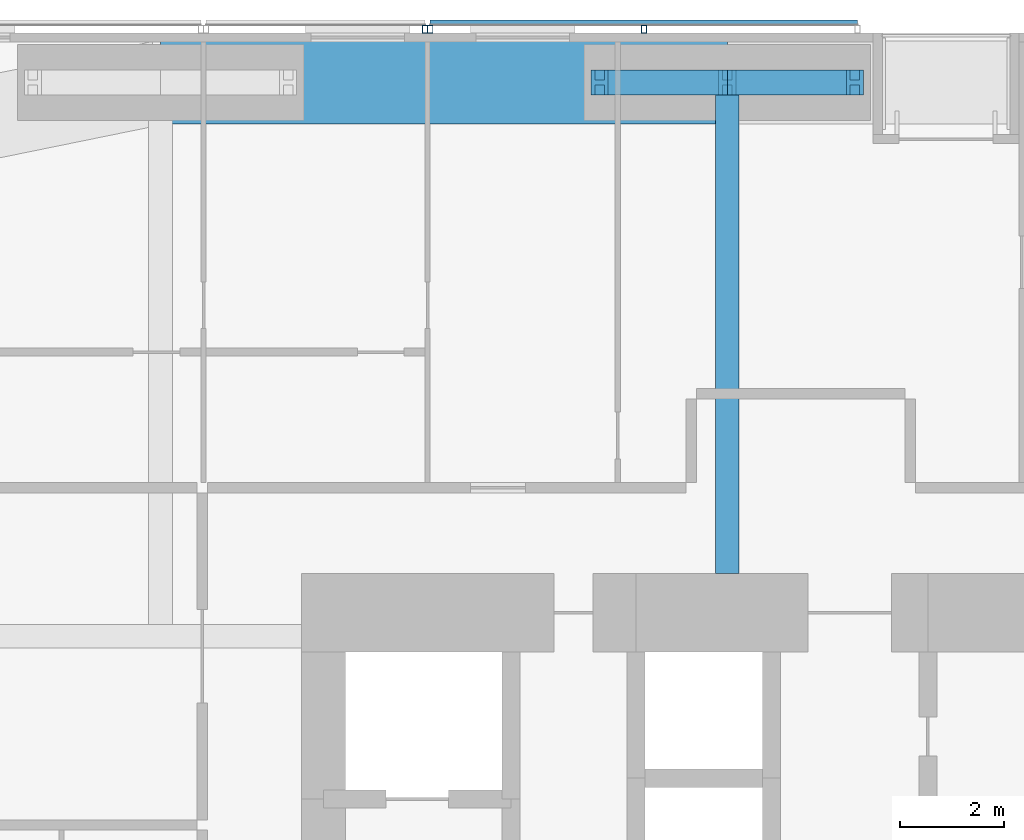
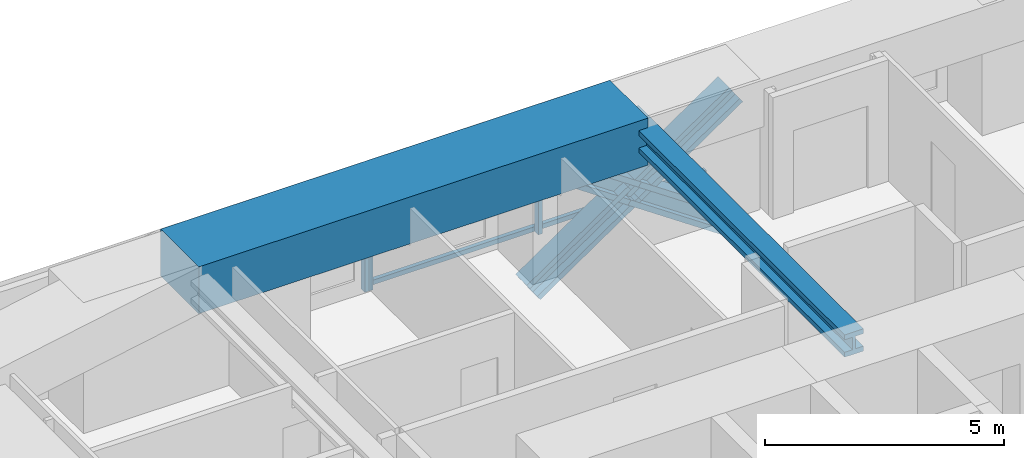
# One storey, part 12 of 23: 8 members, 2 beams, 2 elements without a shape of their own.
"""IFC4 building model written with IfcOpenShell, lengths in metres."""

from ifc_helpers import new_model, si_unit, direction, frame, origin, origin_2d, place, context, subcontext, project, spatial, rectangle, hollow_rectangle, i_section, extrude, material, material_profile, profile_set, type_object, element, aggregate, save


model = new_model("IFC4")

# Units and contexts
model_context = context("Model", 3, precision=1e-05, world=origin(), true_north=direction((0.0, 1.0)))
body_context = subcontext(model_context, "Body", "Model", "MODEL_VIEW")
ifc_project = project(units=[si_unit("LENGTHUNIT", "METRE"), si_unit("AREAUNIT", "SQUARE_METRE"), si_unit("VOLUMEUNIT", "CUBIC_METRE"), si_unit("PLANEANGLEUNIT", "RADIAN"), si_unit("MASSUNIT", "GRAM", prefix="KILO")], contexts=[model_context])

# Site, building, storey
site_placement = place(None, origin())
site = spatial("IfcSite", under=ifc_project, at=site_placement, CompositionType="ELEMENT")
building_placement = place(site_placement, origin())
building = spatial("IfcBuilding", under=site, at=building_placement, Name="Jalousie Tower", CompositionType="ELEMENT")
storey_placement = place(building_placement, frame((0.0, 0.0, 108.199951171875)))
storey = spatial("IfcBuildingStorey", under=building, at=storey_placement, Name="L29", CompositionType="ELEMENT", Elevation=108.199951171875)

# Beam
ifc_material_1 = material(Name="Steel ASTM A992 Grade 50", Category="steel")
ifc_material_profile_1 = material_profile(ifc_material_1, i_section(OverallWidth=0.45458984375, OverallDepth=0.569091796875, WebThickness=0.077880859375, FlangeThickness=0.124755859375, at=origin_2d()), Name="W14X730")
ifc_profile_set_1 = profile_set([ifc_material_profile_1], Name="Steel ASTM A992 Grade 50")
beam_type_1 = type_object("IfcBeamType", Name="LEAN COLLECTOR W14X730", PredefinedType="BEAM", material=ifc_profile_set_1)
beam_1_placement = place(storey_placement, frame((27.75, 37.050048828125, 2.825439453125), z_axis=(0.0, -1.0, 0.0), x_axis=(1.0, 0.0, 0.0)))
element("IfcBeam", 1, at=beam_1_placement, inside=storey, type_object=beam_type_1, Name="Lean collector under L30", PredefinedType="BEAM", context=body_context, shape_type="SweptSolid", body=[
    extrude(i_section(OverallWidth=0.45458984375, OverallDepth=0.569091796875, WebThickness=0.077880859375, FlangeThickness=0.124755859375, at=origin_2d()), origin(), (0.0, 0.0, 1.0), 9.425048828125),
])

# Members
ifc_material_2 = material(Name="Steel ASTM A992 Grade 50", Category="steel")
ifc_material_profile_2 = material_profile(ifc_material_2, i_section(OverallWidth=0.472412109375, OverallDepth=0.5791015625, WebThickness=0.094970703125, FlangeThickness=0.1298828125, at=origin_2d()), Name="W14X808")
ifc_profile_set_2 = profile_set([ifc_material_profile_2], Name="Steel ASTM A992 Grade 50")
member_type_1 = type_object("IfcMemberType", Name="PERIMETER BRACE W14X808", PredefinedType="BRACE", material=ifc_profile_set_2)
for number, where, z_axis, x_axis, name in (
    (2, (25.300048828125, 37.050048828125, -0.599853515625), (0.825539243753, 0.0, 0.564344714713), (0.0, 1.0, 0.0), "Perimeter brace 10 L29 part 1"),
    (3, (27.75, 37.050048828125, 1.074951171875), (0.825500916831, 0.0, 0.564400776321), (0.0, 1.0, 0.0), "Perimeter brace 10 L29 part 2"),
    (4, (30.199951171875, 37.050048828125, -0.599853515625), (-0.825539243753, 0.0, 0.564344714713), (0.0, -1.0, 0.0), "Perimeter brace 10 L29 part 3"),
    (5, (27.75, 37.050048828125, 1.074951171875), (-0.825500916831, 0.0, 0.564400776321), (0.0, -1.0, 0.0), "Perimeter brace 10 L29 part 4"),
):
    element("IfcMember", number, at=place(storey_placement, frame(where, z_axis=z_axis, x_axis=x_axis)), inside=storey, type_object=member_type_1, Name=name, PredefinedType="BRACE", context=body_context, shape_type="SweptSolid", body=[
        extrude(i_section(OverallWidth=0.472412109375, OverallDepth=0.5791015625, WebThickness=0.094970703125, FlangeThickness=0.1298828125, at=origin_2d()), origin(), (0.0, 0.0, 1.0), 2.9677734375),
    ])

# Beam
ifc_material_3 = material(Name="Concrete f'c 40 MPa", Category="concrete")
ifc_material_profile_3 = material_profile(ifc_material_3, rectangle(XDim=1.60009765625, YDim=1.199951171875, at=origin_2d()), Name="RC 1600x1200")
ifc_profile_set_3 = profile_set([ifc_material_profile_3], Name="Concrete f'c 40 MPa")
beam_type_2 = type_object("IfcBeamType", Name="RC BEAM 1600x1200", PredefinedType="BEAM", material=ifc_profile_set_3)
beam_2_placement = place(storey_placement, frame((27.75, 37.050048828125, 2.75), z_axis=(-1.0, 0.0, 0.0), x_axis=(0.0, -1.0, 0.0)))
element("IfcBeam", 6, at=beam_2_placement, inside=storey, type_object=beam_type_2, Name="Edge band beam 10-11 under L30", PredefinedType="BEAM", context=body_context, shape_type="SweptSolid", body=[
    extrude(rectangle(XDim=1.60009765625, YDim=1.199951171875, at=origin_2d()), origin(), (0.0, 0.0, 1.0), 10.875),
])

# Curtain wall, members
ifc_material_4 = material(Name="Perforated aluminium sheet", Category="aluminium")
curtain_wall_type = type_object("IfcCurtainWallType", Name="SOLAR SCREEN SS-1", PredefinedType="USERDEFINED", material=ifc_material_4)
curtain_wall_1_placement = place(storey_placement, origin())
curtain_wall_1 = element("IfcCurtainWall", 7, at=curtain_wall_1_placement, inside=storey, type_object=curtain_wall_type, Name="Solar screen L29", ObjectType="SOLAR SCREEN SS-1", PredefinedType="USERDEFINED")
ifc_material_5 = material(Name="Steel ASTM A500 Grade C", Category="steel")
ifc_material_profile_4 = material_profile(ifc_material_5, hollow_rectangle(XDim=0.1015625, YDim=0.15234375, WallThickness=0.00634765625, at=origin_2d()), Name="HSS6X4X1/4")
ifc_profile_set_4 = profile_set([ifc_material_profile_4], Name="Steel ASTM A500 Grade C")
member_type_2 = type_object("IfcMemberType", Name="SOLAR SCREEN SS-1 MULLION", PredefinedType="MULLION", material=ifc_profile_set_4)
member_1_placement = place(storey_placement, frame((26.150390625, 38.0712890625, -0.119873046875), z_axis=(0.0, 0.0, 1.0), x_axis=(-1.0, 0.0, 0.0)))
member_1 = element("IfcMember", 8, at=member_1_placement, type_object=member_type_2, Name="SS1 post 2", PredefinedType="MULLION", context=body_context, shape_type="SweptSolid", body=[
    extrude(hollow_rectangle(XDim=0.1015625, YDim=0.15234375, WallThickness=0.00634765625, at=origin_2d()), origin(), (0.0, 0.0, 1.0), 3.22998046875),
])
member_2_placement = place(storey_placement, frame((22.050048828125, 38.0712890625, -0.119873046875), z_axis=(0.0, 0.0, 1.0), x_axis=(-1.0, 0.0, 0.0)))
member_2 = element("IfcMember", 9, at=member_2_placement, type_object=member_type_2, Name="SS1 post 3", PredefinedType="MULLION", context=body_context, shape_type="SweptSolid", body=[
    extrude(hollow_rectangle(XDim=0.1015625, YDim=0.15234375, WallThickness=0.00634765625, at=origin_2d()), origin(), (0.0, 0.0, 1.0), 3.22998046875),
])

# Curtain wall, member
curtain_wall_2_placement = place(storey_placement, origin())
curtain_wall_2 = element("IfcCurtainWall", 10, at=curtain_wall_2_placement, inside=storey, type_object=curtain_wall_type, Name="Solar screen L29", ObjectType="SOLAR SCREEN SS-1", PredefinedType="USERDEFINED")
member_3_placement = place(storey_placement, frame((21.949951171875, 38.0712890625, -0.119873046875), z_axis=(0.0, 0.0, 1.0), x_axis=(-1.0, 0.0, 0.0)))
member_3 = element("IfcMember", 11, at=member_3_placement, type_object=member_type_2, Name="SS1 post 1", PredefinedType="MULLION", context=body_context, shape_type="SweptSolid", body=[
    extrude(hollow_rectangle(XDim=0.1015625, YDim=0.15234375, WallThickness=0.00634765625, at=origin_2d()), origin(), (0.0, 0.0, 1.0), 3.22998046875),
])
aggregate(curtain_wall_2, [member_3])

# Member
ifc_material_6 = material(Name="Extruded aluminium screen rail", Category="aluminium")
ifc_material_profile_5 = material_profile(ifc_material_6, rectangle(XDim=0.1015625, YDim=0.1201171875, at=origin_2d()), Name="RAIL 102x120")
ifc_profile_set_5 = profile_set([ifc_material_profile_5], Name="Extruded aluminium screen rail")
member_type_3 = type_object("IfcMemberType", Name="SOLAR SCREEN SS-1 TRANSOM", PredefinedType="USERDEFINED", material=ifc_profile_set_5)
member_4_placement = place(storey_placement, frame((30.25048828125, 38.1982421875, -0.06005859375), z_axis=(-1.0, 0.0, 0.0), x_axis=(0.0, -1.0, 0.0)))
member_4 = element("IfcMember", 12, at=member_4_placement, type_object=member_type_3, Name="SS1 rail", ObjectType="TRANSOM", PredefinedType="USERDEFINED", context=body_context, shape_type="SweptSolid", body=[
    extrude(rectangle(XDim=0.1015625, YDim=0.1201171875, at=origin_2d()), origin(), (0.0, 0.0, 1.0), 8.200439453125),
])

aggregate(curtain_wall_1, [member_1, member_2, member_4])

save(model, "model.ifc")
